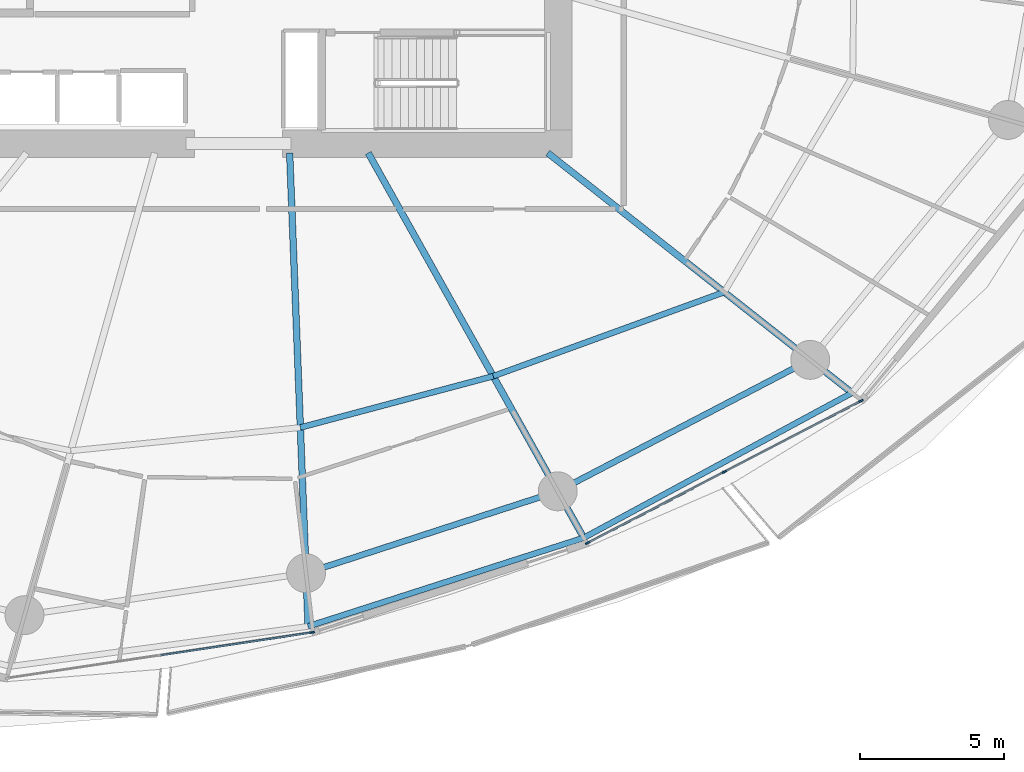
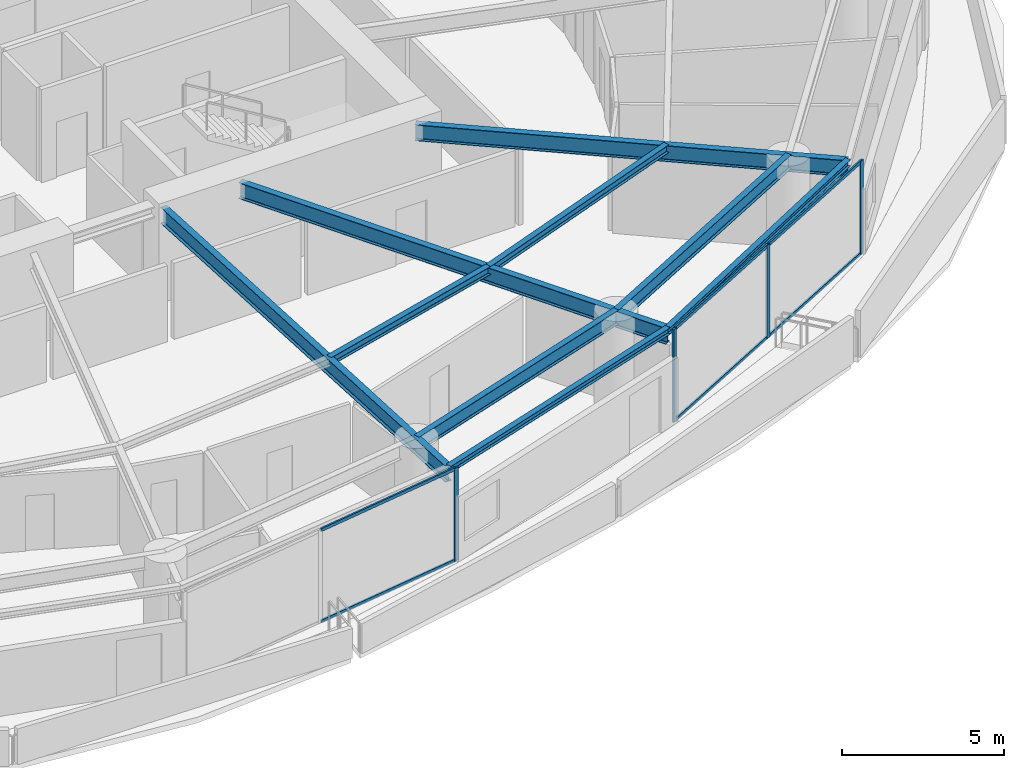
# One storey, part 9 of 31: 10 members, 9 beams, 2 elements without a shape of their own.
"""IFC4 building model written with IfcOpenShell, lengths in metres."""

from ifc_helpers import new_model, si_unit, direction, frame, origin, origin_2d, place, context, subcontext, project, spatial, rectangle, i_section, extrude, material, layer, layer_set, material_profile, profile_set, type_object, element, aggregate, save


model = new_model("IFC4")

# Units and contexts
model_context = context("Model", 3, precision=1e-05, world=origin(), true_north=direction((0.0, 1.0)))
body_context = subcontext(model_context, "Body", "Model", "MODEL_VIEW")
ifc_project = project(units=[si_unit("LENGTHUNIT", "METRE"), si_unit("AREAUNIT", "SQUARE_METRE"), si_unit("VOLUMEUNIT", "CUBIC_METRE"), si_unit("PLANEANGLEUNIT", "RADIAN"), si_unit("MASSUNIT", "GRAM", prefix="KILO")], contexts=[model_context])

# Site, building, storey
site_placement = place(None, origin())
site = spatial("IfcSite", under=ifc_project, at=site_placement, CompositionType="ELEMENT")
building_placement = place(site_placement, origin())
building = spatial("IfcBuilding", under=site, at=building_placement, Name="Kazma Halo Residences", CompositionType="ELEMENT")
storey_placement = place(building_placement, frame((0.0, 0.0, 33.89990234375)))
storey = spatial("IfcBuildingStorey", under=building, at=storey_placement, Name="L07", CompositionType="ELEMENT", Elevation=33.89990234375)

# Beams
ifc_material_1 = material(Name="Steel S355", Category="steel")
ifc_material_profile_1 = material_profile(ifc_material_1, i_section(OverallWidth=0.201904296875, OverallDepth=0.2470703125, WebThickness=0.00732421875, FlangeThickness=0.010986328125, FilletRadius=0.011962890625, at=origin_2d()), Name="W250x49.1")
ifc_profile_set_1 = profile_set([ifc_material_profile_1], Name="Steel S355")
beam_type_1 = type_object("IfcBeamType", Name="BM-BAL-CANT", PredefinedType="BEAM", material=ifc_profile_set_1)
beam_1_placement = place(storey_placement, frame((50.84033203125, 16.761962890625, 3.376708984375), z_axis=(0.952101049535, 0.305783569662, 0.0), x_axis=(-0.305783569662, 0.952101049535, 0.0)))
element("IfcBeam", 1, at=beam_1_placement, inside=storey, type_object=beam_type_1, Name="L07 wave-balcony tie beam 12", PredefinedType="BEAM", context=body_context, shape_type="SweptSolid", body=[
    extrude(i_section(OverallWidth=0.201904296875, OverallDepth=0.2470703125, WebThickness=0.00732421875, FlangeThickness=0.010986328125, FilletRadius=0.011962890625, at=origin_2d()), origin(), (0.0, 0.0, 1.0), 10.053466796875),
])
beam_2_placement = place(storey_placement, frame((60.412353515625, 19.836181640625, 3.376708984375), z_axis=(0.879759421466, 0.47541914175, 0.0), x_axis=(-0.47541914175, 0.879759421466, 0.0)))
element("IfcBeam", 2, at=beam_2_placement, inside=storey, type_object=beam_type_1, Name="L07 wave-balcony tie beam 13", PredefinedType="BEAM", context=body_context, shape_type="SweptSolid", body=[
    extrude(i_section(OverallWidth=0.201904296875, OverallDepth=0.2470703125, WebThickness=0.00732421875, FlangeThickness=0.010986328125, FilletRadius=0.011962890625, at=origin_2d()), origin(), (0.0, 0.0, 1.0), 10.58935546875),
])
ifc_material_profile_2 = material_profile(ifc_material_1, i_section(OverallWidth=0.22802734375, OverallDepth=0.60791015625, WebThickness=0.01123046875, FlangeThickness=0.017333984375, FilletRadius=0.01806640625, at=origin_2d()), Name="W610x113")
ifc_profile_set_2 = profile_set([ifc_material_profile_2], Name="Steel S355")
beam_type_2 = type_object("IfcBeamType", Name="BM-RAD-W610", PredefinedType="BEAM", material=ifc_profile_set_2)
beam_3_placement = place(storey_placement, frame((50.199951171875, 33.199951171875, 3.196044921875), z_axis=(0.038927845379, -0.999242024163, 0.0), x_axis=(0.999242024163, 0.038927845379, 0.0)))
element("IfcBeam", 3, at=beam_3_placement, inside=storey, type_object=beam_type_2, Name="L07 radial floor beam 12", PredefinedType="BEAM", context=body_context, shape_type="SweptSolid", body=[
    extrude(i_section(OverallWidth=0.22802734375, OverallDepth=0.60791015625, WebThickness=0.01123046875, FlangeThickness=0.017333984375, FilletRadius=0.01806640625, at=origin_2d()), origin(), (0.0, 0.0, 1.0), 16.450439453125),
])
beam_4_placement = place(storey_placement, frame((52.92822265625, 33.199951171875, 3.196044921875), z_axis=(0.488624239587, -0.872494328055, 0.0), x_axis=(0.872494328055, 0.488624239587, 0.0)))
element("IfcBeam", 4, at=beam_4_placement, inside=storey, type_object=beam_type_2, Name="L07 radial floor beam 13", PredefinedType="BEAM", context=body_context, shape_type="SweptSolid", body=[
    extrude(i_section(OverallWidth=0.22802734375, OverallDepth=0.60791015625, WebThickness=0.01123046875, FlangeThickness=0.017333984375, FilletRadius=0.01806640625, at=origin_2d()), origin(), (0.0, 0.0, 1.0), 15.316650390625),
])
beam_5_placement = place(storey_placement, frame((59.16259765625, 33.199951171875, 3.196044921875), z_axis=(0.785322437877, -0.619086963655, 0.0), x_axis=(0.619086963655, 0.785322437877, 0.0)))
element("IfcBeam", 5, at=beam_5_placement, inside=storey, type_object=beam_type_2, Name="L07 radial floor beam 14", PredefinedType="BEAM", context=body_context, shape_type="SweptSolid", body=[
    extrude(i_section(OverallWidth=0.22802734375, OverallDepth=0.60791015625, WebThickness=0.01123046875, FlangeThickness=0.017333984375, FilletRadius=0.01806640625, at=origin_2d()), origin(), (0.0, 0.0, 1.0), 13.454345703125),
])
ifc_material_profile_3 = material_profile(ifc_material_1, i_section(OverallWidth=0.202880859375, OverallDepth=0.302978515625, WebThickness=0.007568359375, FlangeThickness=0.01318359375, FilletRadius=0.013916015625, at=origin_2d()), Name="W310x60")
ifc_profile_set_3 = profile_set([ifc_material_profile_3], Name="Steel S355")
beam_type_3 = type_object("IfcBeamType", Name="BM-SEC-W310A", PredefinedType="JOIST", material=ifc_profile_set_3)
beam_6_placement = place(storey_placement, frame((50.5712890625, 23.666015625, 3.3486328125), z_axis=(0.966337757832, 0.257276772735, 0.0), x_axis=(-0.257276772735, 0.966337757832, 0.0)))
element("IfcBeam", 6, at=beam_6_placement, inside=storey, type_object=beam_type_3, Name="L07 circumferential floor joist 12", PredefinedType="JOIST", context=body_context, shape_type="SweptSolid", body=[
    extrude(i_section(OverallWidth=0.202880859375, OverallDepth=0.302978515625, WebThickness=0.007568359375, FlangeThickness=0.01318359375, FilletRadius=0.013916015625, at=origin_2d()), origin(), (0.0, 0.0, 1.0), 6.93115234375),
])
beam_7_placement = place(storey_placement, frame((57.26904296875, 25.44921875, 3.3486328125), z_axis=(0.939695690299, 0.34201170979, 0.0), x_axis=(-0.34201170979, 0.939695690299, 0.0)))
element("IfcBeam", 7, at=beam_7_placement, inside=storey, type_object=beam_type_3, Name="L07 circumferential floor joist 13", PredefinedType="JOIST", context=body_context, shape_type="SweptSolid", body=[
    extrude(i_section(OverallWidth=0.202880859375, OverallDepth=0.302978515625, WebThickness=0.007568359375, FlangeThickness=0.01318359375, FilletRadius=0.013916015625, at=origin_2d()), origin(), (0.0, 0.0, 1.0), 8.536865234375),
])
ifc_material_profile_4 = material_profile(ifc_material_1, i_section(OverallWidth=0.208984375, OverallDepth=0.532958984375, WebThickness=0.01025390625, FlangeThickness=0.015625, FilletRadius=0.01611328125, at=origin_2d()), Name="W530x92")
ifc_profile_set_4 = profile_set([ifc_material_profile_4], Name="Steel S355")
beam_type_4 = type_object("IfcBeamType", Name="BM-SPN-W530", PredefinedType="BEAM", material=ifc_profile_set_4)
beam_8_placement = place(storey_placement, frame((50.768310546875, 18.610595703125, 3.233642578125), z_axis=(0.951054956346, 0.309021795363, 0.0), x_axis=(-0.309021795363, 0.951054956346, 0.0)))
element("IfcBeam", 8, at=beam_8_placement, inside=storey, type_object=beam_type_4, Name="L07 perimeter ring beam 12", PredefinedType="BEAM", context=body_context, shape_type="SweptSolid", body=[
    extrude(i_section(OverallWidth=0.208984375, OverallDepth=0.532958984375, WebThickness=0.01025390625, FlangeThickness=0.015625, FilletRadius=0.01611328125, at=origin_2d()), origin(), (0.0, 0.0, 1.0), 9.189697265625),
])
beam_9_placement = place(storey_placement, frame((59.50830078125, 21.450439453125, 3.233642578125), z_axis=(0.886956241699, 0.461853467358, 0.0), x_axis=(-0.461853467358, 0.886956241699, 0.0)))
element("IfcBeam", 9, at=beam_9_placement, inside=storey, type_object=beam_type_4, Name="L07 perimeter ring beam 13", PredefinedType="BEAM", context=body_context, shape_type="SweptSolid", body=[
    extrude(i_section(OverallWidth=0.208984375, OverallDepth=0.532958984375, WebThickness=0.01025390625, FlangeThickness=0.015625, FilletRadius=0.01611328125, at=origin_2d()), origin(), (0.0, 0.0, 1.0), 9.885009765625),
])

# Curtain wall, member
ifc_material_2 = material(Name="Aluminium AW-6063 T6 and Triple-Silver Low-E Glass", Category="aluminium")
ifc_layer = layer(ifc_material_2, 0.159912109375)
ifc_layer_set = layer_set([ifc_layer], Name="Aluminium AW-6063 T6 and Triple-Silver Low-E Glass")
curtain_wall_type = type_object("IfcCurtainWallType", Name="CW-SYS-2", PredefinedType="NOTDEFINED", material=ifc_layer_set)
curtain_wall_1_placement = place(storey_placement, origin())
curtain_wall_1 = element("IfcCurtainWall", 10, at=curtain_wall_1_placement, inside=storey, type_object=curtain_wall_type, Name="L07 unitised curtain wall B11", PredefinedType="NOTDEFINED")
ifc_material_3 = material(Name="Aluminium AW-6063 T6", Category="aluminium")
ifc_material_profile_5 = material_profile(ifc_material_3, rectangle(XDim=0.06005859375, YDim=0.159912109375, at=origin_2d()), Name="CWM-60x160")
ifc_profile_set_5 = profile_set([ifc_material_profile_5], Name="Aluminium AW-6063 T6")
member_type_1 = type_object("IfcMemberType", Name="CW-SYS-2-MUL", PredefinedType="MULLION", material=ifc_profile_set_5)
member_1_placement = place(storey_placement, frame((50.981689453125, 16.552490234375, 0.0), z_axis=(0.0, 0.0, 1.0), x_axis=(-0.148657272805, 0.988888777994, 0.0)))
member_1 = element("IfcMember", 11, at=member_1_placement, type_object=member_type_1, Name="CWS-2 mullion 3", PredefinedType="MULLION", context=body_context, shape_type="SweptSolid", body=[
    extrude(rectangle(XDim=0.06005859375, YDim=0.159912109375, at=origin_2d()), origin(), (0.0, 0.0, 1.0), 3.5),
])

# Curtain wall, members
curtain_wall_2_placement = place(storey_placement, origin())
curtain_wall_2 = element("IfcCurtainWall", 12, at=curtain_wall_2_placement, inside=storey, type_object=curtain_wall_type, Name="L07 unitised curtain wall B13", PredefinedType="NOTDEFINED")
member_2_placement = place(storey_placement, frame((60.54541015625, 19.659912109375, 0.0), z_axis=(0.0, 0.0, 1.0), x_axis=(-0.460995912628, 0.887402258584, 0.0)))
member_2 = element("IfcMember", 13, at=member_2_placement, type_object=member_type_1, Name="CWS-2 mullion 1", PredefinedType="MULLION", context=body_context, shape_type="SweptSolid", body=[
    extrude(rectangle(XDim=0.06005859375, YDim=0.159912109375, at=origin_2d()), origin(), (0.0, 0.0, 1.0), 3.5),
])
member_3_placement = place(storey_placement, frame((65.2919921875, 22.125732421875, 0.0), z_axis=(0.0, 0.0, 1.0), x_axis=(-0.460995912628, 0.887402258584, 0.0)))
member_3 = element("IfcMember", 14, at=member_3_placement, type_object=member_type_1, Name="CWS-2 mullion 2", PredefinedType="MULLION", context=body_context, shape_type="SweptSolid", body=[
    extrude(rectangle(XDim=0.06005859375, YDim=0.159912109375, at=origin_2d()), origin(), (0.0, 0.0, 1.0), 3.5),
])
member_4_placement = place(storey_placement, frame((70.03857421875, 24.591552734375, 0.0), z_axis=(0.0, 0.0, 1.0), x_axis=(-0.460995912628, 0.887402258584, 0.0)))
member_4 = element("IfcMember", 15, at=member_4_placement, type_object=member_type_1, Name="CWS-2 mullion 3", PredefinedType="MULLION", context=body_context, shape_type="SweptSolid", body=[
    extrude(rectangle(XDim=0.06005859375, YDim=0.159912109375, at=origin_2d()), origin(), (0.0, 0.0, 1.0), 3.5),
])

# Member
ifc_material_profile_6 = material_profile(ifc_material_3, rectangle(XDim=0.06005859375, YDim=0.1201171875, at=origin_2d()), Name="CWT-60x120")
ifc_profile_set_6 = profile_set([ifc_material_profile_6], Name="Aluminium AW-6063 T6")
member_type_2 = type_object("IfcMemberType", Name="CW-SYS-2-TRN", PredefinedType="USERDEFINED", material=ifc_profile_set_6)
member_5_placement = place(storey_placement, frame((45.721923828125, 15.761962890625, 0.030029296875), z_axis=(0.98889195415, 0.148636143041, 0.0), x_axis=(-0.148636143041, 0.98889195415, 0.0)))
member_5 = element("IfcMember", 16, at=member_5_placement, type_object=member_type_2, Name="CWS-2 transom 2.1", ObjectType="TRANSOM", PredefinedType="USERDEFINED", context=body_context, shape_type="SweptSolid", body=[
    extrude(rectangle(XDim=0.06005859375, YDim=0.1201171875, at=origin_2d()), origin(), (0.0, 0.0, 1.0), 5.2890625),
])

member_6_placement = place(storey_placement, frame((45.721923828125, 15.761962890625, 3.47021484375), z_axis=(0.98889195415, 0.148636143041, 0.0), x_axis=(-0.148636143041, 0.98889195415, 0.0)))
member_6 = element("IfcMember", 17, at=member_6_placement, type_object=member_type_2, Name="CWS-2 transom 2.2", ObjectType="TRANSOM", PredefinedType="USERDEFINED", context=body_context, shape_type="SweptSolid", body=[
    extrude(rectangle(XDim=0.06005859375, YDim=0.1201171875, at=origin_2d()), origin(), (0.0, 0.0, 1.0), 5.2890625),
])

aggregate(curtain_wall_1, [member_1, member_5, member_6])

member_7_placement = place(storey_placement, frame((60.572021484375, 19.673828125, 0.030029296875), z_axis=(0.887414738583, 0.460971888238, 0.0), x_axis=(-0.460971888238, 0.887414738583, 0.0)))
member_7 = element("IfcMember", 18, at=member_7_placement, type_object=member_type_2, Name="CWS-2 transom 1.1", ObjectType="TRANSOM", PredefinedType="USERDEFINED", context=body_context, shape_type="SweptSolid", body=[
    extrude(rectangle(XDim=0.06005859375, YDim=0.1201171875, at=origin_2d()), origin(), (0.0, 0.0, 1.0), 5.288818359375),
])

member_8_placement = place(storey_placement, frame((60.572021484375, 19.673828125, 3.47021484375), z_axis=(0.887414738583, 0.460971888238, 0.0), x_axis=(-0.460971888238, 0.887414738583, 0.0)))
member_8 = element("IfcMember", 19, at=member_8_placement, type_object=member_type_2, Name="CWS-2 transom 1.2", ObjectType="TRANSOM", PredefinedType="USERDEFINED", context=body_context, shape_type="SweptSolid", body=[
    extrude(rectangle(XDim=0.06005859375, YDim=0.1201171875, at=origin_2d()), origin(), (0.0, 0.0, 1.0), 5.288818359375),
])

member_9_placement = place(storey_placement, frame((65.318603515625, 22.1396484375, 0.030029296875), z_axis=(0.887414738583, 0.460971888238, 0.0), x_axis=(-0.460971888238, 0.887414738583, 0.0)))
member_9 = element("IfcMember", 20, at=member_9_placement, type_object=member_type_2, Name="CWS-2 transom 2.1", ObjectType="TRANSOM", PredefinedType="USERDEFINED", context=body_context, shape_type="SweptSolid", body=[
    extrude(rectangle(XDim=0.06005859375, YDim=0.1201171875, at=origin_2d()), origin(), (0.0, 0.0, 1.0), 5.288818359375),
])

member_10_placement = place(storey_placement, frame((65.318603515625, 22.1396484375, 3.47021484375), z_axis=(0.887414738583, 0.460971888238, 0.0), x_axis=(-0.460971888238, 0.887414738583, 0.0)))
member_10 = element("IfcMember", 21, at=member_10_placement, type_object=member_type_2, Name="CWS-2 transom 2.2", ObjectType="TRANSOM", PredefinedType="USERDEFINED", context=body_context, shape_type="SweptSolid", body=[
    extrude(rectangle(XDim=0.06005859375, YDim=0.1201171875, at=origin_2d()), origin(), (0.0, 0.0, 1.0), 5.288818359375),
])

aggregate(curtain_wall_2, [member_2, member_3, member_4, member_7, member_8, member_9, member_10])

save(model, "model.ifc")
